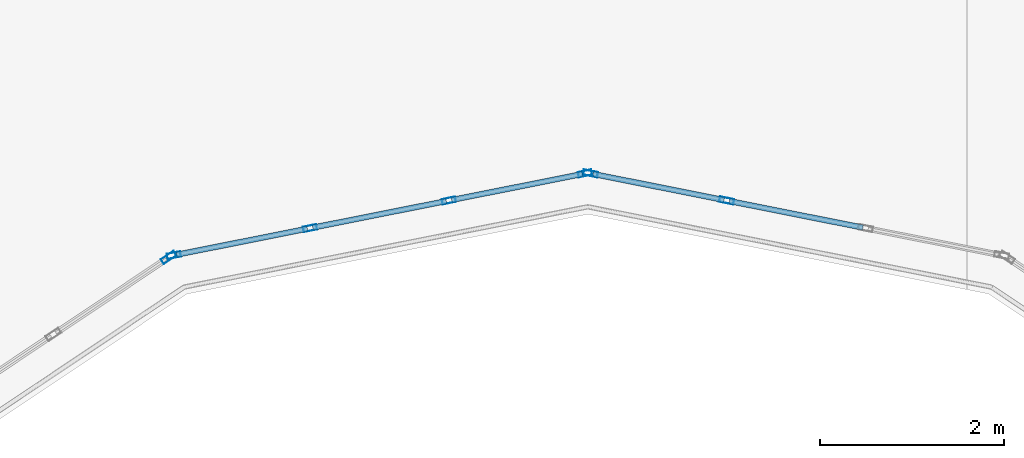
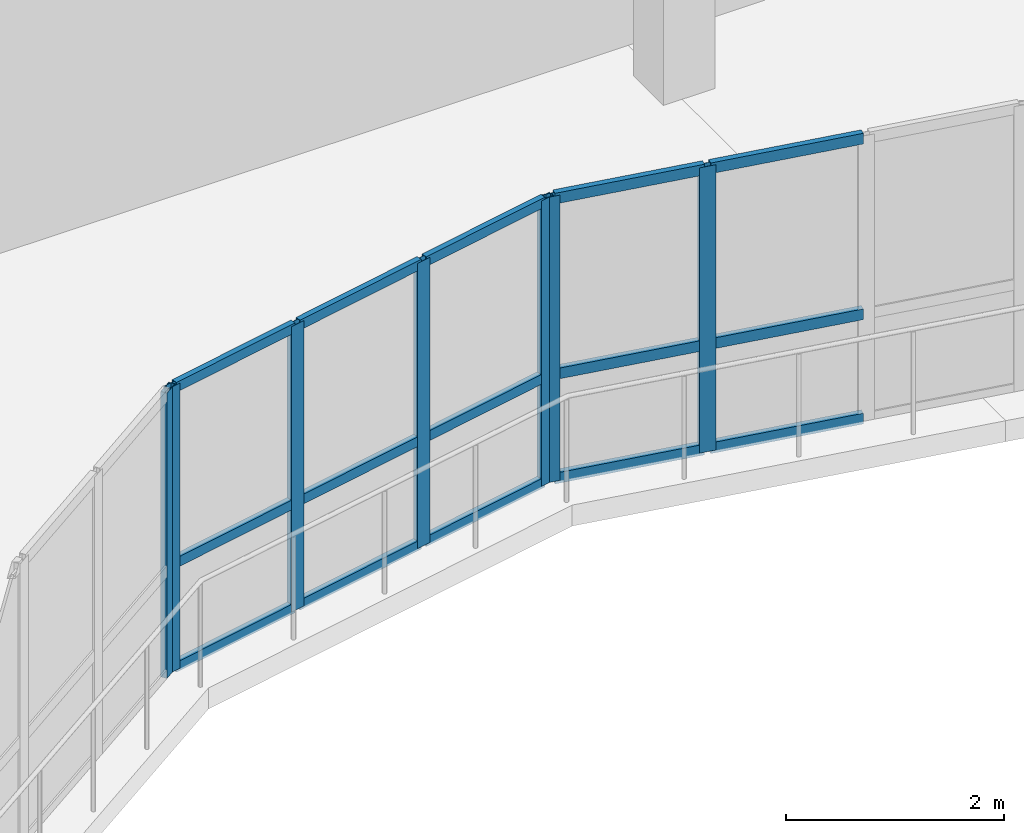
# One storey, part 28 of 103: 22 members, 3 elements without a shape of their own.
"""IFC4 building model written with IfcOpenShell, lengths in metres."""

from ifc_helpers import new_model, si_unit, direction, frame, origin, origin_2d, place, context, subcontext, project, spatial, hollow_rectangle, extrude, material, layer, layer_set, material_profile, profile_set, type_object, element, aggregate, save


model = new_model("IFC4")

# Units and contexts
model_context = context("Model", 3, precision=1e-05, world=origin(), true_north=direction((0.0, 1.0)))
body_context = subcontext(model_context, "Body", "Model", "MODEL_VIEW")
ifc_project = project(units=[si_unit("LENGTHUNIT", "METRE"), si_unit("AREAUNIT", "SQUARE_METRE"), si_unit("VOLUMEUNIT", "CUBIC_METRE"), si_unit("PLANEANGLEUNIT", "RADIAN"), si_unit("MASSUNIT", "GRAM", prefix="KILO"), si_unit("THERMODYNAMICTEMPERATUREUNIT", "KELVIN")], contexts=[model_context])

# Site, building, storey
site_placement = place(None, origin())
site = spatial("IfcSite", under=ifc_project, at=site_placement, CompositionType="ELEMENT")
building_placement = place(site_placement, origin())
building = spatial("IfcBuilding", under=site, at=building_placement, Name="Lustrewick Department Store", CompositionType="ELEMENT")
storey_placement = place(building_placement, frame((0.0, 0.0, 16.5)))
storey = spatial("IfcBuildingStorey", under=building, at=storey_placement, Name="L04", CompositionType="ELEMENT", Elevation=16.5)

# Curtain wall, member
ifc_material = material(Name="Thermally broken aluminium 6063-T5", Category="aluminium")
ifc_layer_1 = layer(ifc_material, 0.169921875, Name="Thermally broken aluminium 6063-T5")
ifc_layer_set_1 = layer_set([ifc_layer_1], Name="Thermally broken aluminium 6063-T5")
curtain_wall_type_1 = type_object("IfcCurtainWallType", Name="CW16", PredefinedType="NOTDEFINED", material=ifc_layer_set_1)
curtain_wall_1_placement = place(storey_placement, origin())
curtain_wall_1 = element("IfcCurtainWall", 1, at=curtain_wall_1_placement, inside=storey, type_object=curtain_wall_type_1, Name="L04 Atrium Glazed Screen CW16", PredefinedType="NOTDEFINED")
ifc_material_profile_1 = material_profile(ifc_material, hollow_rectangle(XDim=0.06494140625, YDim=0.169921875, WallThickness=0.00390625, at=origin_2d()), Name="ALU-M 65x170x4")
ifc_profile_set_1 = profile_set([ifc_material_profile_1], Name="Thermally broken aluminium 6063-T5")
member_type_1 = type_object("IfcMemberType", Name="CW16-M1", PredefinedType="MULLION", material=ifc_profile_set_1)
member_1_placement = place(storey_placement, frame((24.838134765625, 78.1298828125, 0.0), z_axis=(0.0, 0.0, 1.0), x_axis=(0.555578313862, -0.831464212799, 0.0)))
member_1 = element("IfcMember", 2, at=member_1_placement, type_object=member_type_1, Name="CW16 mullion 1", PredefinedType="MULLION", context=body_context, shape_type="SweptSolid", body=[
    extrude(hollow_rectangle(XDim=0.06494140625, YDim=0.169921875, WallThickness=0.00390625, at=origin_2d()), origin(), (0.0, 0.0, 1.0), 3.199951171875),
])
aggregate(curtain_wall_1, [member_1])

# Curtain wall, members
ifc_layer_2 = layer(ifc_material, 0.159912109375, Name="Thermally broken aluminium 6063-T5")
ifc_layer_set_2 = layer_set([ifc_layer_2], Name="Thermally broken aluminium 6063-T5")
curtain_wall_type_2 = type_object("IfcCurtainWallType", Name="CW17", PredefinedType="NOTDEFINED", material=ifc_layer_set_2)
curtain_wall_2_placement = place(storey_placement, origin())
curtain_wall_2 = element("IfcCurtainWall", 3, at=curtain_wall_2_placement, inside=storey, type_object=curtain_wall_type_2, Name="L04 Atrium Glazed Screen CW17", PredefinedType="NOTDEFINED")
ifc_material_profile_2 = material_profile(ifc_material, hollow_rectangle(XDim=0.06005859375, YDim=0.159912109375, WallThickness=0.00390625, at=origin_2d()), Name="ALU-M 60x160x4")
ifc_profile_set_2 = profile_set([ifc_material_profile_2], Name="Thermally broken aluminium 6063-T5")
member_type_2 = type_object("IfcMemberType", Name="CW17-M1", PredefinedType="MULLION", material=ifc_profile_set_2)
member_2_placement = place(storey_placement, frame((30.91162109375, 78.749267578125, 0.0), z_axis=(0.0, 0.0, 1.0), x_axis=(-0.195084537521, -0.980786430993, 0.0)))
member_2 = element("IfcMember", 4, at=member_2_placement, type_object=member_type_2, Name="CW17 mullion 3", PredefinedType="MULLION", context=body_context, shape_type="SweptSolid", body=[
    extrude(hollow_rectangle(XDim=0.06005859375, YDim=0.159912109375, WallThickness=0.00390625, at=origin_2d()), origin(), (0.0, 0.0, 1.0), 3.199951171875),
])
member_3_placement = place(storey_placement, frame((29.429443359375, 79.044189453125, 0.0), z_axis=(0.0, 0.0, 1.0), x_axis=(-0.195084537521, -0.980786430993, 0.0)))
member_3 = element("IfcMember", 5, at=member_3_placement, type_object=member_type_2, Name="CW17 mullion 4", PredefinedType="MULLION", context=body_context, shape_type="SweptSolid", body=[
    extrude(hollow_rectangle(XDim=0.06005859375, YDim=0.159912109375, WallThickness=0.00390625, at=origin_2d()), origin(), (0.0, 0.0, 1.0), 3.199951171875),
])
ifc_material_profile_3 = material_profile(ifc_material, hollow_rectangle(XDim=0.06005859375, YDim=0.1201171875, WallThickness=0.00341796875, at=origin_2d()), Name="ALU-T 60x120x3.5")
ifc_profile_set_3 = profile_set([ifc_material_profile_3], Name="Thermally broken aluminium 6063-T5")
member_type_3 = type_object("IfcMemberType", Name="CW17-T1", PredefinedType="USERDEFINED", material=ifc_profile_set_3)
member_4_placement = place(storey_placement, frame((32.393798828125, 78.45458984375, 0.030029296875), z_axis=(-0.980808215859, 0.194974982249, 0.0), x_axis=(-0.194974982249, -0.980808215859, 0.0)))
member_4 = element("IfcMember", 6, at=member_4_placement, type_object=member_type_3, Name="CW17 transom 2.1", ObjectType="TRANSOM", PredefinedType="USERDEFINED", context=body_context, shape_type="SweptSolid", body=[
    extrude(hollow_rectangle(XDim=0.06005859375, YDim=0.1201171875, WallThickness=0.00341796875, at=origin_2d()), origin(), (0.0, 0.0, 1.0), 1.481201171875),
])
member_5_placement = place(storey_placement, frame((32.393798828125, 78.45458984375, 1.199951171875), z_axis=(-0.980808215859, 0.194974982249, 0.0), x_axis=(-0.194974982249, -0.980808215859, 0.0)))
member_5 = element("IfcMember", 7, at=member_5_placement, type_object=member_type_3, Name="CW17 transom 2.2", ObjectType="TRANSOM", PredefinedType="USERDEFINED", context=body_context, shape_type="SweptSolid", body=[
    extrude(hollow_rectangle(XDim=0.06005859375, YDim=0.1201171875, WallThickness=0.00341796875, at=origin_2d()), origin(), (0.0, 0.0, 1.0), 1.481201171875),
])
member_6_placement = place(storey_placement, frame((32.393798828125, 78.45458984375, 3.169921875), z_axis=(-0.980808215859, 0.194974982249, 0.0), x_axis=(-0.194974982249, -0.980808215859, 0.0)))
member_6 = element("IfcMember", 8, at=member_6_placement, type_object=member_type_3, Name="CW17 transom 2.3", ObjectType="TRANSOM", PredefinedType="USERDEFINED", context=body_context, shape_type="SweptSolid", body=[
    extrude(hollow_rectangle(XDim=0.06005859375, YDim=0.1201171875, WallThickness=0.00341796875, at=origin_2d()), origin(), (0.0, 0.0, 1.0), 1.481201171875),
])
member_7_placement = place(storey_placement, frame((30.882080078125, 78.755126953125, 0.030029296875), z_axis=(-0.980774305612, 0.195145487909, 0.0), x_axis=(-0.195145487909, -0.980774305612, 0.0)))
member_7 = element("IfcMember", 9, at=member_7_placement, type_object=member_type_3, Name="CW17 transom 3.1", ObjectType="TRANSOM", PredefinedType="USERDEFINED", context=body_context, shape_type="SweptSolid", body=[
    extrude(hollow_rectangle(XDim=0.06005859375, YDim=0.1201171875, WallThickness=0.00341796875, at=origin_2d()), origin(), (0.0, 0.0, 1.0), 1.451171875),
])
member_8_placement = place(storey_placement, frame((30.882080078125, 78.755126953125, 1.199951171875), z_axis=(-0.980774305612, 0.195145487909, 0.0), x_axis=(-0.195145487909, -0.980774305612, 0.0)))
member_8 = element("IfcMember", 10, at=member_8_placement, type_object=member_type_3, Name="CW17 transom 3.2", ObjectType="TRANSOM", PredefinedType="USERDEFINED", context=body_context, shape_type="SweptSolid", body=[
    extrude(hollow_rectangle(XDim=0.06005859375, YDim=0.1201171875, WallThickness=0.00341796875, at=origin_2d()), origin(), (0.0, 0.0, 1.0), 1.451171875),
])
member_9_placement = place(storey_placement, frame((30.882080078125, 78.755126953125, 3.169921875), z_axis=(-0.980774305612, 0.195145487909, 0.0), x_axis=(-0.195145487909, -0.980774305612, 0.0)))
member_9 = element("IfcMember", 11, at=member_9_placement, type_object=member_type_3, Name="CW17 transom 3.3", ObjectType="TRANSOM", PredefinedType="USERDEFINED", context=body_context, shape_type="SweptSolid", body=[
    extrude(hollow_rectangle(XDim=0.06005859375, YDim=0.1201171875, WallThickness=0.00341796875, at=origin_2d()), origin(), (0.0, 0.0, 1.0), 1.451171875),
])
aggregate(curtain_wall_2, [member_2, member_3, member_4, member_5, member_6, member_7, member_8, member_9])

ifc_layer_3 = layer(ifc_material, 0.14990234375, Name="Thermally broken aluminium 6063-T5")
ifc_layer_set_3 = layer_set([ifc_layer_3], Name="Thermally broken aluminium 6063-T5")
curtain_wall_type_3 = type_object("IfcCurtainWallType", Name="CW18", PredefinedType="NOTDEFINED", material=ifc_layer_set_3)
curtain_wall_3_placement = place(storey_placement, origin())
curtain_wall_3 = element("IfcCurtainWall", 12, at=curtain_wall_3_placement, inside=storey, type_object=curtain_wall_type_3, Name="L04 Atrium Glazed Screen CW18", PredefinedType="NOTDEFINED")
ifc_material_profile_4 = material_profile(ifc_material, hollow_rectangle(XDim=0.06005859375, YDim=0.14990234375, WallThickness=0.00341796875, at=origin_2d()), Name="ALU-M 60x150x3.5")
ifc_profile_set_4 = profile_set([ifc_material_profile_4], Name="Thermally broken aluminium 6063-T5")
member_type_4 = type_object("IfcMemberType", Name="CW18-M1", PredefinedType="MULLION", material=ifc_profile_set_4)
member_10_placement = place(storey_placement, frame((29.37060546875, 79.044189453125, 0.0), z_axis=(0.0, 0.0, 1.0), x_axis=(0.195084537521, -0.980786430993, 0.0)))
member_10 = element("IfcMember", 13, at=member_10_placement, type_object=member_type_4, Name="CW18 mullion 1", PredefinedType="MULLION", context=body_context, shape_type="SweptSolid", body=[
    extrude(hollow_rectangle(XDim=0.06005859375, YDim=0.14990234375, WallThickness=0.00341796875, at=origin_2d()), origin(), (0.0, 0.0, 1.0), 3.199951171875),
])
member_11_placement = place(storey_placement, frame((27.888427734375, 78.749267578125, 0.0), z_axis=(0.0, 0.0, 1.0), x_axis=(0.195084537521, -0.980786430993, 0.0)))
member_11 = element("IfcMember", 14, at=member_11_placement, type_object=member_type_4, Name="CW18 mullion 2", PredefinedType="MULLION", context=body_context, shape_type="SweptSolid", body=[
    extrude(hollow_rectangle(XDim=0.06005859375, YDim=0.14990234375, WallThickness=0.00341796875, at=origin_2d()), origin(), (0.0, 0.0, 1.0), 3.199951171875),
])
member_12_placement = place(storey_placement, frame((26.376708984375, 78.44873046875, 0.0), z_axis=(0.0, 0.0, 1.0), x_axis=(0.195084537521, -0.980786430993, 0.0)))
member_12 = element("IfcMember", 15, at=member_12_placement, type_object=member_type_4, Name="CW18 mullion 3", PredefinedType="MULLION", context=body_context, shape_type="SweptSolid", body=[
    extrude(hollow_rectangle(XDim=0.06005859375, YDim=0.14990234375, WallThickness=0.00341796875, at=origin_2d()), origin(), (0.0, 0.0, 1.0), 3.199951171875),
])
member_13_placement = place(storey_placement, frame((24.89453125, 78.15380859375, 0.0), z_axis=(0.0, 0.0, 1.0), x_axis=(0.195084537521, -0.980786430993, 0.0)))
member_13 = element("IfcMember", 16, at=member_13_placement, type_object=member_type_4, Name="CW18 mullion 4", PredefinedType="MULLION", context=body_context, shape_type="SweptSolid", body=[
    extrude(hollow_rectangle(XDim=0.06005859375, YDim=0.14990234375, WallThickness=0.00341796875, at=origin_2d()), origin(), (0.0, 0.0, 1.0), 3.199951171875),
])
ifc_material_profile_5 = material_profile(ifc_material, hollow_rectangle(XDim=0.06005859375, YDim=0.110107421875, WallThickness=0.0029296875, at=origin_2d()), Name="ALU-T 60x110x3")
ifc_profile_set_5 = profile_set([ifc_material_profile_5], Name="Thermally broken aluminium 6063-T5")
member_type_5 = type_object("IfcMemberType", Name="CW18-T1", PredefinedType="USERDEFINED", material=ifc_profile_set_5)
member_14_placement = place(storey_placement, frame((29.341064453125, 79.038330078125, 0.030029296875), z_axis=(-0.980774305612, -0.195145487909, 0.0), x_axis=(0.195145487909, -0.980774305612, 0.0)))
member_14 = element("IfcMember", 17, at=member_14_placement, type_object=member_type_5, Name="CW18 transom 1.1", ObjectType="TRANSOM", PredefinedType="USERDEFINED", context=body_context, shape_type="SweptSolid", body=[
    extrude(hollow_rectangle(XDim=0.06005859375, YDim=0.110107421875, WallThickness=0.0029296875, at=origin_2d()), origin(), (0.0, 0.0, 1.0), 1.451171875),
])
member_15_placement = place(storey_placement, frame((29.341064453125, 79.038330078125, 1.199951171875), z_axis=(-0.980774305612, -0.195145487909, 0.0), x_axis=(0.195145487909, -0.980774305612, 0.0)))
member_15 = element("IfcMember", 18, at=member_15_placement, type_object=member_type_5, Name="CW18 transom 1.2", ObjectType="TRANSOM", PredefinedType="USERDEFINED", context=body_context, shape_type="SweptSolid", body=[
    extrude(hollow_rectangle(XDim=0.06005859375, YDim=0.110107421875, WallThickness=0.0029296875, at=origin_2d()), origin(), (0.0, 0.0, 1.0), 1.451171875),
])
member_16_placement = place(storey_placement, frame((29.341064453125, 79.038330078125, 3.169921875), z_axis=(-0.980774305612, -0.195145487909, 0.0), x_axis=(0.195145487909, -0.980774305612, 0.0)))
member_16 = element("IfcMember", 19, at=member_16_placement, type_object=member_type_5, Name="CW18 transom 1.3", ObjectType="TRANSOM", PredefinedType="USERDEFINED", context=body_context, shape_type="SweptSolid", body=[
    extrude(hollow_rectangle(XDim=0.06005859375, YDim=0.110107421875, WallThickness=0.0029296875, at=origin_2d()), origin(), (0.0, 0.0, 1.0), 1.451171875),
])
member_17_placement = place(storey_placement, frame((27.85888671875, 78.743408203125, 0.030029296875), z_axis=(-0.980801948895, -0.195006505133, 0.0), x_axis=(0.195006505133, -0.980801948895, 0.0)))
member_17 = element("IfcMember", 20, at=member_17_placement, type_object=member_type_5, Name="CW18 transom 2.1", ObjectType="TRANSOM", PredefinedType="USERDEFINED", context=body_context, shape_type="SweptSolid", body=[
    extrude(hollow_rectangle(XDim=0.06005859375, YDim=0.110107421875, WallThickness=0.0029296875, at=origin_2d()), origin(), (0.0, 0.0, 1.0), 1.48095703125),
])
member_18_placement = place(storey_placement, frame((27.85888671875, 78.743408203125, 1.199951171875), z_axis=(-0.980801948895, -0.195006505133, 0.0), x_axis=(0.195006505133, -0.980801948895, 0.0)))
member_18 = element("IfcMember", 21, at=member_18_placement, type_object=member_type_5, Name="CW18 transom 2.2", ObjectType="TRANSOM", PredefinedType="USERDEFINED", context=body_context, shape_type="SweptSolid", body=[
    extrude(hollow_rectangle(XDim=0.06005859375, YDim=0.110107421875, WallThickness=0.0029296875, at=origin_2d()), origin(), (0.0, 0.0, 1.0), 1.48095703125),
])
member_19_placement = place(storey_placement, frame((27.85888671875, 78.743408203125, 3.169921875), z_axis=(-0.980801948895, -0.195006505133, 0.0), x_axis=(0.195006505133, -0.980801948895, 0.0)))
member_19 = element("IfcMember", 22, at=member_19_placement, type_object=member_type_5, Name="CW18 transom 2.3", ObjectType="TRANSOM", PredefinedType="USERDEFINED", context=body_context, shape_type="SweptSolid", body=[
    extrude(hollow_rectangle(XDim=0.06005859375, YDim=0.110107421875, WallThickness=0.0029296875, at=origin_2d()), origin(), (0.0, 0.0, 1.0), 1.48095703125),
])
member_20_placement = place(storey_placement, frame((26.347412109375, 78.44287109375, 0.030029296875), z_axis=(-0.980774305612, -0.195145487909, 0.0), x_axis=(0.195145487909, -0.980774305612, 0.0)))
member_20 = element("IfcMember", 23, at=member_20_placement, type_object=member_type_5, Name="CW18 transom 3.1", ObjectType="TRANSOM", PredefinedType="USERDEFINED", context=body_context, shape_type="SweptSolid", body=[
    extrude(hollow_rectangle(XDim=0.06005859375, YDim=0.110107421875, WallThickness=0.0029296875, at=origin_2d()), origin(), (0.0, 0.0, 1.0), 1.451171875),
])
member_21_placement = place(storey_placement, frame((26.347412109375, 78.44287109375, 1.199951171875), z_axis=(-0.980774305612, -0.195145487909, 0.0), x_axis=(0.195145487909, -0.980774305612, 0.0)))
member_21 = element("IfcMember", 24, at=member_21_placement, type_object=member_type_5, Name="CW18 transom 3.2", ObjectType="TRANSOM", PredefinedType="USERDEFINED", context=body_context, shape_type="SweptSolid", body=[
    extrude(hollow_rectangle(XDim=0.06005859375, YDim=0.110107421875, WallThickness=0.0029296875, at=origin_2d()), origin(), (0.0, 0.0, 1.0), 1.451171875),
])
member_22_placement = place(storey_placement, frame((26.347412109375, 78.44287109375, 3.169921875), z_axis=(-0.980774305612, -0.195145487909, 0.0), x_axis=(0.195145487909, -0.980774305612, 0.0)))
member_22 = element("IfcMember", 25, at=member_22_placement, type_object=member_type_5, Name="CW18 transom 3.3", ObjectType="TRANSOM", PredefinedType="USERDEFINED", context=body_context, shape_type="SweptSolid", body=[
    extrude(hollow_rectangle(XDim=0.06005859375, YDim=0.110107421875, WallThickness=0.0029296875, at=origin_2d()), origin(), (0.0, 0.0, 1.0), 1.451171875),
])
aggregate(curtain_wall_3, [member_10, member_11, member_12, member_13, member_14, member_15, member_16, member_17, member_18, member_19, member_20, member_21, member_22])

save(model, "model.ifc")
